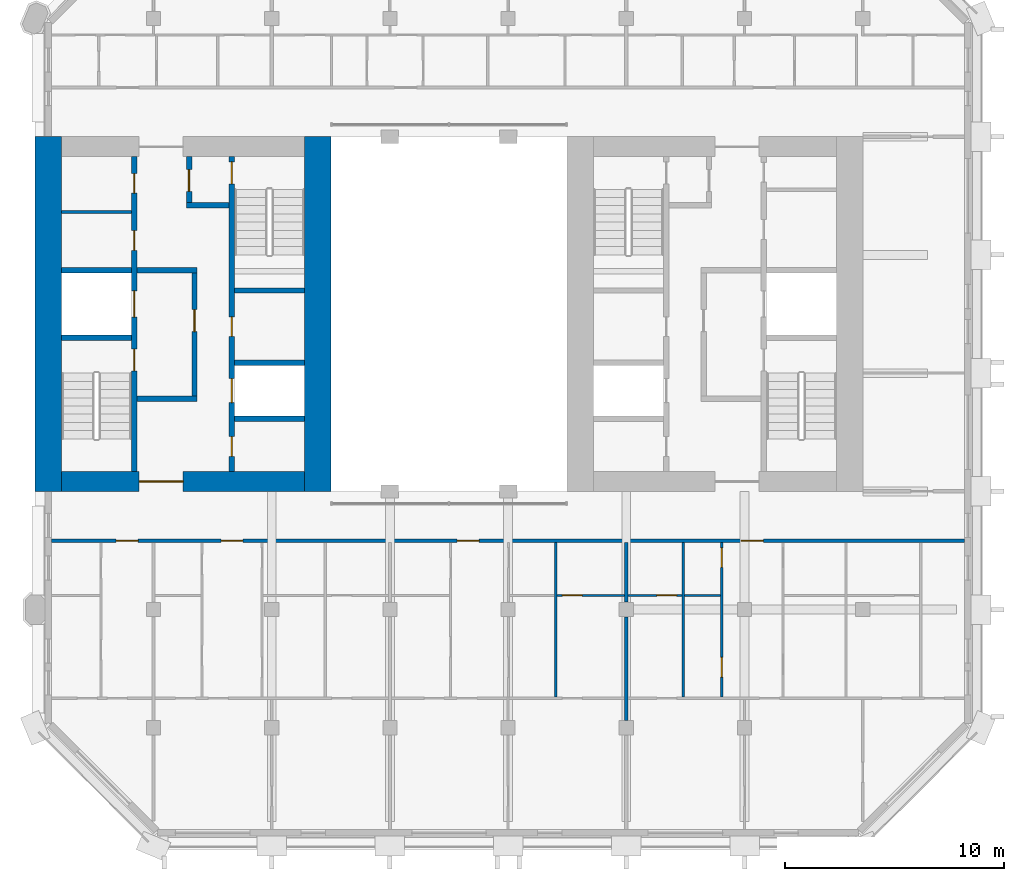
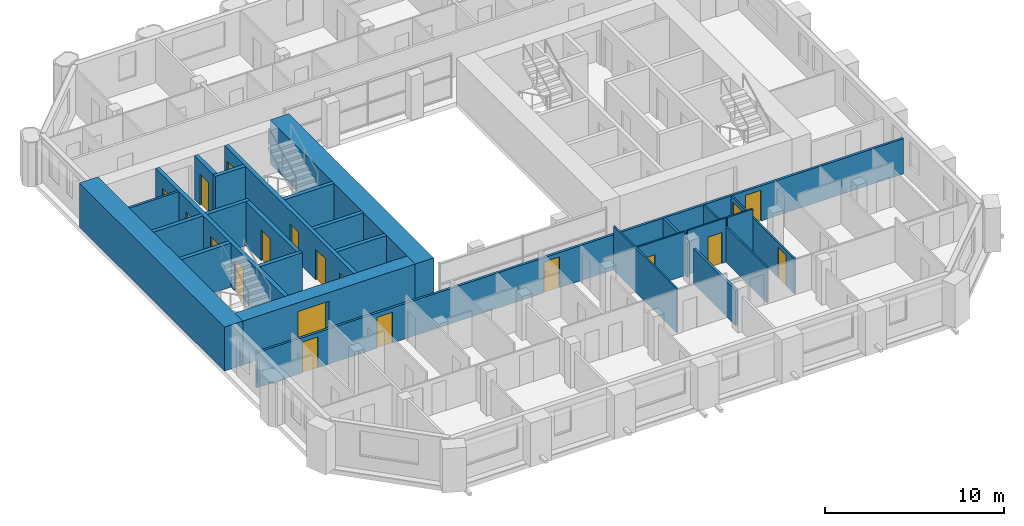
# One storey, part 7 of 13: 25 walls, 19 doors, 19 openings.
"""IFC4 building model written with IfcOpenShell, lengths in metres."""

from ifc_helpers import new_model, si_unit, direction, frame, frame_2d, origin, place, context, subcontext, project, spatial, rectangle, extrude, material, layer, layer_set, type_object, element, fill, save


model = new_model("IFC4")

# Units and contexts
model_context = context("Model", 3, precision=1e-05, world=origin(), true_north=direction((0.0, 1.0)))
body_context = subcontext(model_context, "Body", "Model", "MODEL_VIEW")
ifc_project = project(units=[si_unit("LENGTHUNIT", "METRE"), si_unit("AREAUNIT", "SQUARE_METRE"), si_unit("VOLUMEUNIT", "CUBIC_METRE"), si_unit("PLANEANGLEUNIT", "RADIAN"), si_unit("MASSUNIT", "GRAM", prefix="KILO")], contexts=[model_context])

# Site, building, storey
site_placement = place(None, origin())
site = spatial("IfcSite", under=ifc_project, at=site_placement, CompositionType="ELEMENT")
building_placement = place(site_placement, origin())
building = spatial("IfcBuilding", under=site, at=building_placement, Name="Tabaq Tower and Sports Hall", CompositionType="ELEMENT")
storey_placement = place(building_placement, frame((0.0, 0.0, 271.89990234375)))
storey = spatial("IfcBuildingStorey", under=building, at=storey_placement, Name="L66", CompositionType="ELEMENT", Elevation=271.89990234375)

# Walls
ifc_material_1 = material(Name="Blockwork", Category="masonry")
ifc_layer_1 = layer(ifc_material_1, 0.14990234375)
ifc_layer_set_1 = layer_set([ifc_layer_1], Name="Core room partition 150 Blockwork")
wall_type_1 = type_object("IfcWallType", Name="Core room partition 150 Blockwork", PredefinedType="PARTITIONING", material=ifc_layer_set_1)
wall_1_placement = place(storey_placement, frame((6.60009765625, 28.962890625, 0.0), z_axis=(0.0, 0.0, 1.0), x_axis=(1.0, 0.0, 0.0)))
element("IfcWall", 1, at=wall_1_placement, inside=storey, type_object=wall_type_1, Name="Core room partition W L66", PredefinedType="PARTITIONING", context=body_context, shape_type="SweptSolid", body=[
    extrude(rectangle(XDim=3.199951171875, YDim=0.14990234375, at=frame_2d((1.60009765625, 0.0))), origin(), (0.0, 0.0, 1.0), 3.0),
])
ifc_material_2 = material(Name="Concrete C40/50", Category="concrete")
ifc_layer_2 = layer(ifc_material_2, 1.199951171875)
ifc_layer_set_2 = layer_set([ifc_layer_2], Name="Core wall 1200 Concrete C40/50")
wall_type_2 = type_object("IfcWallType", Name="Core wall 1200 Concrete C40/50", PredefinedType="SOLIDWALL", material=ifc_layer_set_2)
for number, where, z_axis, x_axis, name in (
    (2, (6.0, 16.199951171875, 0.0), (0.0, 0.0, 1.0), (0.0, 1.0, 0.0), "Core wall W L66"),
    (3, (18.300048828125, 32.39990234375, 0.0), (0.0, 0.0, 1.0), (0.0, -1.0, 0.0), "Core wall W L66"),
):
    element("IfcWall", number, at=place(storey_placement, frame(where, z_axis=z_axis, x_axis=x_axis)), inside=storey, type_object=wall_type_2, Name=name, PredefinedType="SOLIDWALL", context=body_context, shape_type="SweptSolid", body=[
        extrude(rectangle(XDim=16.199951171875, YDim=1.199951171875, at=frame_2d((8.10009765625, 0.0))), origin(), (0.0, 0.0, 1.0), 3.0),
    ])

# Wall, opening, door
ifc_material_3 = material(Name="Concrete C40/50", Category="concrete")
ifc_layer_3 = layer(ifc_material_3, 0.89990234375)
ifc_layer_set_3 = layer_set([ifc_layer_3], Name="Core wall 900 Concrete C40/50")
wall_type_3 = type_object("IfcWallType", Name="Core wall 900 Concrete C40/50", PredefinedType="SOLIDWALL", material=ifc_layer_set_3)
wall_2_placement = place(storey_placement, frame((17.699951171875, 16.64990234375, 0.0), z_axis=(0.0, 0.0, 1.0), x_axis=(-1.0, 0.0, 0.0)))
wall_2 = element("IfcWall", 4, at=wall_2_placement, inside=storey, type_object=wall_type_3, Name="Core wall W L66", PredefinedType="SOLIDWALL", context=body_context, shape_type="SweptSolid", body=[
    extrude(rectangle(XDim=11.099853515625, YDim=0.89990234375, at=frame_2d((5.5498046875, 0.0))), origin(), (0.0, 0.0, 1.0), 3.0),
])
opening_1_placement = place(wall_2_placement, frame((5.550048828125, 0.0, 0.0)))
opening_1 = element("IfcOpeningElement", 5, at=opening_1_placement, cuts=wall_2, Name="Opening PD-WL66-01", PredefinedType="OPENING", context=body_context, shape_type="SweptSolid", body=[
    extrude(rectangle(XDim=2.0, YDim=2.39990234375, at=frame_2d((1.0, 1.199951171875))), frame((0.0, 0.449951171875, 0.0), z_axis=(0.0, -1.0, 0.0), x_axis=(1.0, 0.0, 0.0)), (0.0, 0.0, 1.0), 0.89990234375),
])
ifc_material_4 = material(Name="Steel fire door", Category="steel")
door_type_1 = type_object("IfcDoorType", Name="Core entrance door 2000", OperationType="DOUBLE_DOOR_SINGLE_SWING", PredefinedType="DOOR", material=ifc_material_4)
door_1_placement = place(opening_1_placement, origin())
door_1 = element("IfcDoor", 6, at=door_1_placement, inside=storey, type_object=door_type_1, Name="Core entrance south W L66", OperationType="DOUBLE_DOOR_SINGLE_SWING", OverallHeight=2.39990234375, OverallWidth=2.0, PredefinedType="DOOR", context=body_context, shape_type="SweptSolid", body=[
    extrude(rectangle(XDim=2.0, YDim=2.39990234375, at=frame_2d((1.0, 1.199951171875))), frame((0.0, 0.02490234375, 0.0), z_axis=(0.0, -1.0, 0.0), x_axis=(1.0, 0.0, 0.0)), (0.0, 0.0, 1.0), 0.050048828125),
])
fill(opening_1, door_1)

# Wall
ifc_material_5 = material(Name="Gypsum board on steel studs", Category="steel")
ifc_layer_4 = layer(ifc_material_5, 0.10009765625)
ifc_layer_set_4 = layer_set([ifc_layer_4], Name="Partition 100 Gypsum board")
wall_type_4 = type_object("IfcWallType", Name="Partition 100 Gypsum board", PredefinedType="PARTITIONING", material=ifc_layer_set_4)
wall_3_placement = place(storey_placement, frame((29.176025390625, 6.800048828125, 0.0), z_axis=(0.0, 0.0, 1.0), x_axis=(0.0, 1.0, 0.0)))
element("IfcWall", 7, at=wall_3_placement, inside=storey, type_object=wall_type_4, Name="Partition wall L66", PredefinedType="PARTITIONING", context=body_context, shape_type="SweptSolid", body=[
    extrude(rectangle(XDim=7.074951171875, YDim=0.10009765625, at=frame_2d((3.53759765625, 0.0))), origin(), (0.0, 0.0, 1.0), 3.0),
])

# Wall, opening, door
wall_4_placement = place(storey_placement, frame((32.324951171875, 11.449951171875, 0.0), z_axis=(0.0, 0.0, 1.0), x_axis=(-1.0, 0.0, 0.0)))
wall_4 = element("IfcWall", 8, at=wall_4_placement, inside=storey, type_object=wall_type_4, Name="Partition wall L66", PredefinedType="PARTITIONING", context=body_context, shape_type="SweptSolid", body=[
    extrude(rectangle(XDim=3.098876953125, YDim=0.10009765625, at=frame_2d((1.54931640625, 0.0))), origin(), (0.0, 0.0, 1.0), 3.0),
])
opening_2_placement = place(wall_4_placement, frame((1.948974609375, 0.0, 0.0)))
opening_2 = element("IfcOpeningElement", 9, at=opening_2_placement, cuts=wall_4, Name="Opening L66-022", PredefinedType="OPENING", context=body_context, shape_type="SweptSolid", body=[
    extrude(rectangle(XDim=0.89990234375, YDim=2.10009765625, at=frame_2d((0.449951171875, 1.050048828125))), frame((0.0, 0.050048828125, 0.0), z_axis=(0.0, -1.0, 0.0), x_axis=(1.0, 0.0, 0.0)), (0.0, 0.0, 1.0), 0.10009765625),
])
ifc_material_6 = material(Name="Timber leaf in steel frame", Category="steel")
door_type_2 = type_object("IfcDoorType", Name="Internal door 900 left hand", OperationType="SINGLE_SWING_LEFT", PredefinedType="DOOR", material=ifc_material_6)
door_2_placement = place(opening_2_placement, origin())
door_2 = element("IfcDoor", 10, at=door_2_placement, inside=storey, type_object=door_type_2, Name="Internal door L66-022", OperationType="SINGLE_SWING_LEFT", OverallHeight=2.10009765625, OverallWidth=0.89990234375, PredefinedType="DOOR", context=body_context, shape_type="SweptSolid", body=[
    extrude(rectangle(XDim=0.89990234375, YDim=2.10009765625, at=frame_2d((0.449951171875, 1.050048828125))), frame((0.0, 0.02490234375, 0.0), z_axis=(0.0, -1.0, 0.0), x_axis=(1.0, 0.0, 0.0)), (0.0, 0.0, 1.0), 0.050048828125),
])
fill(opening_2, door_2)

wall_5_placement = place(storey_placement, frame((34.949951171875, 11.449951171875, 0.0), z_axis=(0.0, 0.0, 1.0), x_axis=(-1.0, 0.0, 0.0)))
wall_5 = element("IfcWall", 11, at=wall_5_placement, inside=storey, type_object=wall_type_4, Name="Partition wall L66", PredefinedType="PARTITIONING", context=body_context, shape_type="SweptSolid", body=[
    extrude(rectangle(XDim=2.474853515625, YDim=0.10009765625, at=frame_2d((1.2373046875, 0.0))), origin(), (0.0, 0.0, 1.0), 3.0),
])
opening_3_placement = place(wall_5_placement, frame((0.25, 0.0, 0.0)))
opening_3 = element("IfcOpeningElement", 12, at=opening_3_placement, cuts=wall_5, Name="Opening L66-024", PredefinedType="OPENING", context=body_context, shape_type="SweptSolid", body=[
    extrude(rectangle(XDim=0.89990234375, YDim=2.10009765625, at=frame_2d((0.449951171875, 1.050048828125))), frame((0.0, 0.050048828125, 0.0), z_axis=(0.0, -1.0, 0.0), x_axis=(1.0, 0.0, 0.0)), (0.0, 0.0, 1.0), 0.10009765625),
])
door_3_placement = place(opening_3_placement, origin())
door_3 = element("IfcDoor", 13, at=door_3_placement, inside=storey, type_object=door_type_2, Name="Internal door L66-024", OperationType="SINGLE_SWING_LEFT", OverallHeight=2.10009765625, OverallWidth=0.89990234375, PredefinedType="DOOR", context=body_context, shape_type="SweptSolid", body=[
    extrude(rectangle(XDim=0.89990234375, YDim=2.10009765625, at=frame_2d((0.449951171875, 1.050048828125))), frame((0.0, 0.02490234375, 0.0), z_axis=(0.0, -1.0, 0.0), x_axis=(1.0, 0.0, 0.0)), (0.0, 0.0, 1.0), 0.050048828125),
])
fill(opening_3, door_3)

# Walls
wall_6_placement = place(storey_placement, frame((35.0, 6.800048828125, 0.0), z_axis=(0.0, 0.0, 1.0), x_axis=(0.0, 1.0, 0.0)))
element("IfcWall", 14, at=wall_6_placement, inside=storey, type_object=wall_type_4, Name="Partition wall L66", PredefinedType="PARTITIONING", context=body_context, shape_type="SweptSolid", body=[
    extrude(rectangle(XDim=7.074951171875, YDim=0.10009765625, at=frame_2d((3.53759765625, 0.0))), origin(), (0.0, 0.0, 1.0), 2.400146484375),
])
wall_7_placement = place(storey_placement, frame((36.7060546875, 11.449951171875, 0.0), z_axis=(0.0, 0.0, 1.0), x_axis=(-1.0, 0.0, 0.0)))
element("IfcWall", 15, at=wall_7_placement, inside=storey, type_object=wall_type_4, Name="Partition wall L66", PredefinedType="PARTITIONING", context=body_context, shape_type="SweptSolid", body=[
    extrude(rectangle(XDim=1.656005859375, YDim=0.10009765625, at=frame_2d((0.828125, 0.0))), origin(), (0.0, 0.0, 1.0), 3.0),
])

# Wall, openings, doors
wall_8_placement = place(storey_placement, frame((36.756103515625, 6.800048828125, 0.0), z_axis=(0.0, 0.0, 1.0), x_axis=(0.0, 1.0, 0.0)))
wall_8 = element("IfcWall", 16, at=wall_8_placement, inside=storey, type_object=wall_type_4, Name="Partition wall L66", PredefinedType="PARTITIONING", context=body_context, shape_type="SweptSolid", body=[
    extrude(rectangle(XDim=7.074951171875, YDim=0.10009765625, at=frame_2d((3.53759765625, 0.0))), origin(), (0.0, 0.0, 1.0), 2.400146484375),
])
opening_4_placement = place(wall_8_placement, frame((0.9169921875, 0.0, 0.0)))
opening_4 = element("IfcOpeningElement", 17, at=opening_4_placement, cuts=wall_8, Name="Opening L66-025", PredefinedType="OPENING", context=body_context, shape_type="SweptSolid", body=[
    extrude(rectangle(XDim=0.89990234375, YDim=2.10009765625, at=frame_2d((0.449951171875, 1.050048828125))), frame((0.0, 0.050048828125, 0.0), z_axis=(0.0, -1.0, 0.0), x_axis=(1.0, 0.0, 0.0)), (0.0, 0.0, 1.0), 0.10009765625),
])
opening_5_placement = place(wall_8_placement, frame((5.925048828125, 0.0, 0.0)))
opening_5 = element("IfcOpeningElement", 18, at=opening_5_placement, cuts=wall_8, Name="Opening L66-026", PredefinedType="OPENING", context=body_context, shape_type="SweptSolid", body=[
    extrude(rectangle(XDim=0.89990234375, YDim=2.10009765625, at=frame_2d((0.449951171875, 1.050048828125))), frame((0.0, 0.050048828125, 0.0), z_axis=(0.0, -1.0, 0.0), x_axis=(1.0, 0.0, 0.0)), (0.0, 0.0, 1.0), 0.10009765625),
])
door_4_placement = place(opening_5_placement, origin())
door_4 = element("IfcDoor", 19, at=door_4_placement, inside=storey, type_object=door_type_2, Name="Internal door L66-026", OperationType="SINGLE_SWING_LEFT", OverallHeight=2.10009765625, OverallWidth=0.89990234375, PredefinedType="DOOR", context=body_context, shape_type="SweptSolid", body=[
    extrude(rectangle(XDim=0.89990234375, YDim=2.10009765625, at=frame_2d((0.449951171875, 1.050048828125))), frame((0.0, 0.02490234375, 0.0), z_axis=(0.0, -1.0, 0.0), x_axis=(1.0, 0.0, 0.0)), (0.0, 0.0, 1.0), 0.050048828125),
])
fill(opening_5, door_4)
ifc_material_7 = material(Name="Timber leaf in steel frame", Category="steel")
door_type_3 = type_object("IfcDoorType", Name="Internal door 900 right hand", OperationType="SINGLE_SWING_RIGHT", PredefinedType="DOOR", material=ifc_material_7)
door_5_placement = place(opening_4_placement, origin())
door_5 = element("IfcDoor", 20, at=door_5_placement, inside=storey, type_object=door_type_3, Name="Internal door L66-025", OperationType="SINGLE_SWING_RIGHT", OverallHeight=2.10009765625, OverallWidth=0.89990234375, PredefinedType="DOOR", context=body_context, shape_type="SweptSolid", body=[
    extrude(rectangle(XDim=0.89990234375, YDim=2.10009765625, at=frame_2d((0.449951171875, 1.050048828125))), frame((0.0, 0.02490234375, 0.0), z_axis=(0.0, -1.0, 0.0), x_axis=(1.0, 0.0, 0.0)), (0.0, 0.0, 1.0), 0.050048828125),
])
fill(opening_4, door_5)

# Walls
ifc_material_8 = material(Name="Blockwork", Category="masonry")
ifc_layer_5 = layer(ifc_material_8, 0.14990234375)
ifc_layer_set_5 = layer_set([ifc_layer_5], Name="Separating wall 150 Blockwork")
wall_type_5 = type_object("IfcWallType", Name="Separating wall 150 Blockwork", PredefinedType="PARTITIONING", material=ifc_layer_set_5)
wall_9_placement = place(storey_placement, frame((32.39990234375, 5.7451171875, 0.0), z_axis=(0.0, 0.0, 1.0), x_axis=(0.0, 1.0, 0.0)))
element("IfcWall", 21, at=wall_9_placement, inside=storey, type_object=wall_type_5, Name="Separating wall L66", PredefinedType="PARTITIONING", context=body_context, shape_type="SweptSolid", body=[
    extrude(rectangle(XDim=4.7099609375, YDim=0.14990234375, at=frame_2d((2.35498046875, 0.0))), origin(), (0.0, 0.0, 1.0), 2.400146484375),
])
wall_10_placement = place(storey_placement, frame((32.39990234375, 11.14501953125, 0.0), z_axis=(0.0, 0.0, 1.0), x_axis=(0.0, 1.0, 0.0)))
element("IfcWall", 22, at=wall_10_placement, inside=storey, type_object=wall_type_5, Name="Separating wall L66", PredefinedType="PARTITIONING", context=body_context, shape_type="SweptSolid", body=[
    extrude(rectangle(XDim=2.72998046875, YDim=0.14990234375, at=frame_2d((1.364990234375, 0.0))), origin(), (0.0, 0.0, 1.0), 2.400146484375),
])

# Wall, openings, doors
wall_11_placement = place(storey_placement, frame((47.84912109375, 13.949951171875, 0.0), z_axis=(0.0, 0.0, 1.0), x_axis=(-1.0, 0.0, 0.0)))
wall_11 = element("IfcWall", 23, at=wall_11_placement, inside=storey, type_object=wall_type_5, Name="Separating wall L66", PredefinedType="PARTITIONING", context=body_context, shape_type="SweptSolid", body=[
    extrude(rectangle(XDim=41.6982421875, YDim=0.14990234375, at=frame_2d((20.84912109375, 0.0))), origin(), (0.0, 0.0, 1.0), 2.400146484375),
])
opening_6_placement = place(wall_11_placement, frame((37.7490234375, 0.0, 0.0)))
opening_6 = element("IfcOpeningElement", 24, at=opening_6_placement, cuts=wall_11, Name="Opening L66-062", PredefinedType="OPENING", context=body_context, shape_type="SweptSolid", body=[
    extrude(rectangle(XDim=1.0, YDim=2.10009765625, at=frame_2d((0.5, 1.050048828125))), frame((0.0, 0.074951171875, 0.0), z_axis=(0.0, -1.0, 0.0), x_axis=(1.0, 0.0, 0.0)), (0.0, 0.0, 1.0), 0.14990234375),
])
opening_7_placement = place(wall_11_placement, frame((32.9619140625, 0.0, 0.0)))
opening_7 = element("IfcOpeningElement", 25, at=opening_7_placement, cuts=wall_11, Name="Opening L66-063", PredefinedType="OPENING", context=body_context, shape_type="SweptSolid", body=[
    extrude(rectangle(XDim=1.0, YDim=2.10009765625, at=frame_2d((0.5, 1.050048828125))), frame((0.0, 0.074951171875, 0.0), z_axis=(0.0, -1.0, 0.0), x_axis=(1.0, 0.0, 0.0)), (0.0, 0.0, 1.0), 0.14990234375),
])
opening_8_placement = place(wall_11_placement, frame((22.178955078125, 0.0, 0.0)))
opening_8 = element("IfcOpeningElement", 26, at=opening_8_placement, cuts=wall_11, Name="Opening L66-064", PredefinedType="OPENING", context=body_context, shape_type="SweptSolid", body=[
    extrude(rectangle(XDim=1.0, YDim=2.10009765625, at=frame_2d((0.5, 1.050048828125))), frame((0.0, 0.074951171875, 0.0), z_axis=(0.0, -1.0, 0.0), x_axis=(1.0, 0.0, 0.0)), (0.0, 0.0, 1.0), 0.14990234375),
])
opening_9_placement = place(wall_11_placement, frame((9.193115234375, 0.0, 0.0)))
opening_9 = element("IfcOpeningElement", 27, at=opening_9_placement, cuts=wall_11, Name="Opening L66-065", PredefinedType="OPENING", context=body_context, shape_type="SweptSolid", body=[
    extrude(rectangle(XDim=1.0, YDim=2.10009765625, at=frame_2d((0.5, 1.050048828125))), frame((0.0, 0.074951171875, 0.0), z_axis=(0.0, -1.0, 0.0), x_axis=(1.0, 0.0, 0.0)), (0.0, 0.0, 1.0), 0.14990234375),
])
ifc_material_9 = material(Name="Steel fire door", Category="steel")
door_type_4 = type_object("IfcDoorType", Name="Entrance door 1000 left hand", OperationType="SINGLE_SWING_LEFT", PredefinedType="DOOR", material=ifc_material_9)
door_6_placement = place(opening_6_placement, origin())
door_6 = element("IfcDoor", 28, at=door_6_placement, inside=storey, type_object=door_type_4, Name="Entrance door L66-062", OperationType="SINGLE_SWING_LEFT", OverallHeight=2.10009765625, OverallWidth=1.0, PredefinedType="DOOR", context=body_context, shape_type="SweptSolid", body=[
    extrude(rectangle(XDim=1.0, YDim=2.10009765625, at=frame_2d((0.5, 1.050048828125))), frame((0.0, 0.02490234375, 0.0), z_axis=(0.0, -1.0, 0.0), x_axis=(1.0, 0.0, 0.0)), (0.0, 0.0, 1.0), 0.050048828125),
])
fill(opening_6, door_6)
door_7_placement = place(opening_7_placement, origin())
door_7 = element("IfcDoor", 29, at=door_7_placement, inside=storey, type_object=door_type_4, Name="Entrance door L66-063", OperationType="SINGLE_SWING_LEFT", OverallHeight=2.10009765625, OverallWidth=1.0, PredefinedType="DOOR", context=body_context, shape_type="SweptSolid", body=[
    extrude(rectangle(XDim=1.0, YDim=2.10009765625, at=frame_2d((0.5, 1.050048828125))), frame((0.0, 0.02490234375, 0.0), z_axis=(0.0, -1.0, 0.0), x_axis=(1.0, 0.0, 0.0)), (0.0, 0.0, 1.0), 0.050048828125),
])
fill(opening_7, door_7)
door_8_placement = place(opening_9_placement, origin())
door_8 = element("IfcDoor", 30, at=door_8_placement, inside=storey, type_object=door_type_4, Name="Entrance door L66-065", OperationType="SINGLE_SWING_LEFT", OverallHeight=2.10009765625, OverallWidth=1.0, PredefinedType="DOOR", context=body_context, shape_type="SweptSolid", body=[
    extrude(rectangle(XDim=1.0, YDim=2.10009765625, at=frame_2d((0.5, 1.050048828125))), frame((0.0, 0.02490234375, 0.0), z_axis=(0.0, -1.0, 0.0), x_axis=(1.0, 0.0, 0.0)), (0.0, 0.0, 1.0), 0.050048828125),
])
fill(opening_9, door_8)
ifc_material_10 = material(Name="Steel fire door", Category="steel")
door_type_5 = type_object("IfcDoorType", Name="Entrance door 1000 right hand", OperationType="SINGLE_SWING_RIGHT", PredefinedType="DOOR", material=ifc_material_10)
door_9_placement = place(opening_8_placement, origin())
door_9 = element("IfcDoor", 31, at=door_9_placement, inside=storey, type_object=door_type_5, Name="Entrance door L66-064", OperationType="SINGLE_SWING_RIGHT", OverallHeight=2.10009765625, OverallWidth=1.0, PredefinedType="DOOR", context=body_context, shape_type="SweptSolid", body=[
    extrude(rectangle(XDim=1.0, YDim=2.10009765625, at=frame_2d((0.5, 1.050048828125))), frame((0.0, 0.02490234375, 0.0), z_axis=(0.0, -1.0, 0.0), x_axis=(1.0, 0.0, 0.0)), (0.0, 0.0, 1.0), 0.050048828125),
])
fill(opening_8, door_9)

ifc_material_11 = material(Name="Concrete C40/50", Category="concrete")
ifc_layer_6 = layer(ifc_material_11, 0.25)
ifc_layer_set_6 = layer_set([ifc_layer_6], Name="Shaft and stair wall 250 Concrete C40/50")
wall_type_6 = type_object("IfcWallType", Name="Shaft and stair wall 250 Concrete C40/50", PredefinedType="SOLIDWALL", material=ifc_layer_set_6)
wall_12_placement = place(storey_placement, frame((9.925048828125, 17.10009765625, 0.0), z_axis=(0.0, 0.0, 1.0), x_axis=(0.0, 1.0, 0.0)))
wall_12 = element("IfcWall", 32, at=wall_12_placement, inside=storey, type_object=wall_type_6, Name="Shaft wall W L66", PredefinedType="SOLIDWALL", context=body_context, shape_type="SweptSolid", body=[
    extrude(rectangle(XDim=14.39990234375, YDim=0.25, at=frame_2d((7.199951171875, 0.0))), origin(), (0.0, 0.0, 1.0), 3.0),
])
opening_10_placement = place(wall_12_placement, frame((4.60009765625, 0.0, 0.0)))
opening_10 = element("IfcOpeningElement", 33, at=opening_10_placement, cuts=wall_12, Name="Opening SD-WL66-03", PredefinedType="OPENING", context=body_context, shape_type="SweptSolid", body=[
    extrude(rectangle(XDim=1.0, YDim=2.10009765625, at=frame_2d((0.5, 1.050048828125))), frame((0.0, 0.125, 0.0), z_axis=(0.0, -1.0, 0.0), x_axis=(1.0, 0.0, 0.0)), (0.0, 0.0, 1.0), 0.25),
])
opening_11_placement = place(wall_12_placement, frame((7.0625, 0.0, 0.0)))
opening_11 = element("IfcOpeningElement", 34, at=opening_11_placement, cuts=wall_12, Name="Opening LD-FF1-L66", PredefinedType="OPENING", context=body_context, shape_type="SweptSolid", body=[
    extrude(rectangle(XDim=1.199951171875, YDim=2.10009765625, at=frame_2d((0.60009765625, 1.050048828125))), frame((0.0, 0.125, 0.0), z_axis=(0.0, -1.0, 0.0), x_axis=(1.0, 0.0, 0.0)), (0.0, 0.0, 1.0), 0.25),
])
opening_12_placement = place(wall_12_placement, frame((10.1064453125, 0.0, 0.0)))
opening_12 = element("IfcOpeningElement", 35, at=opening_12_placement, cuts=wall_12, Name="Opening RD-WL66-09", PredefinedType="OPENING", context=body_context, shape_type="SweptSolid", body=[
    extrude(rectangle(XDim=0.89990234375, YDim=2.10009765625, at=frame_2d((0.449951171875, 1.050048828125))), frame((0.0, 0.125, 0.0), z_axis=(0.0, -1.0, 0.0), x_axis=(1.0, 0.0, 0.0)), (0.0, 0.0, 1.0), 0.25),
])
opening_13_placement = place(wall_12_placement, frame((12.718994140625, 0.0, 0.0)))
opening_13 = element("IfcOpeningElement", 36, at=opening_13_placement, cuts=wall_12, Name="Opening RD-WL66-10", PredefinedType="OPENING", context=body_context, shape_type="SweptSolid", body=[
    extrude(rectangle(XDim=0.89990234375, YDim=2.10009765625, at=frame_2d((0.449951171875, 1.050048828125))), frame((0.0, 0.125, 0.0), z_axis=(0.0, -1.0, 0.0), x_axis=(1.0, 0.0, 0.0)), (0.0, 0.0, 1.0), 0.25),
])
ifc_material_12 = material(Name="Steel fire door", Category="steel")
door_type_6 = type_object("IfcDoorType", Name="Core room door 900", OperationType="SINGLE_SWING_LEFT", PredefinedType="DOOR", material=ifc_material_12)
door_10_placement = place(opening_12_placement, origin())
door_10 = element("IfcDoor", 37, at=door_10_placement, inside=storey, type_object=door_type_6, Name="Door Electrical Room W L66", OperationType="SINGLE_SWING_LEFT", OverallHeight=2.10009765625, OverallWidth=0.89990234375, PredefinedType="DOOR", context=body_context, shape_type="SweptSolid", body=[
    extrude(rectangle(XDim=0.89990234375, YDim=2.10009765625, at=frame_2d((0.449951171875, 1.050048828125))), frame((0.0, 0.02490234375, 0.0), z_axis=(0.0, -1.0, 0.0), x_axis=(1.0, 0.0, 0.0)), (0.0, 0.0, 1.0), 0.050048828125),
])
fill(opening_12, door_10)
door_11_placement = place(opening_13_placement, origin())
door_11 = element("IfcDoor", 38, at=door_11_placement, inside=storey, type_object=door_type_6, Name="Door Comms Room W L66", OperationType="SINGLE_SWING_LEFT", OverallHeight=2.10009765625, OverallWidth=0.89990234375, PredefinedType="DOOR", context=body_context, shape_type="SweptSolid", body=[
    extrude(rectangle(XDim=0.89990234375, YDim=2.10009765625, at=frame_2d((0.449951171875, 1.050048828125))), frame((0.0, 0.02490234375, 0.0), z_axis=(0.0, -1.0, 0.0), x_axis=(1.0, 0.0, 0.0)), (0.0, 0.0, 1.0), 0.050048828125),
])
fill(opening_13, door_11)
ifc_material_13 = material(Name="Stainless steel", Category="steel")
door_type_7 = type_object("IfcDoorType", Name="Lift landing door 1200", OperationType="DOUBLE_DOOR_SLIDING", PredefinedType="DOOR", material=ifc_material_13)
door_12_placement = place(opening_11_placement, origin())
door_12 = element("IfcDoor", 39, at=door_12_placement, inside=storey, type_object=door_type_7, Name="Lift landing door FF1 W L66", OperationType="DOUBLE_DOOR_SLIDING", OverallHeight=2.10009765625, OverallWidth=1.199951171875, PredefinedType="DOOR", context=body_context, shape_type="SweptSolid", body=[
    extrude(rectangle(XDim=1.199951171875, YDim=2.10009765625, at=frame_2d((0.60009765625, 1.050048828125))), frame((0.0, 0.02490234375, 0.0), z_axis=(0.0, -1.0, 0.0), x_axis=(1.0, 0.0, 0.0)), (0.0, 0.0, 1.0), 0.050048828125),
])
fill(opening_11, door_12)
ifc_material_14 = material(Name="Steel fire door", Category="steel")
door_type_8 = type_object("IfcDoorType", Name="Stair door 1000", OperationType="SINGLE_SWING_LEFT", PredefinedType="DOOR", material=ifc_material_14)
door_13_placement = place(opening_10_placement, origin())
door_13 = element("IfcDoor", 40, at=door_13_placement, inside=storey, type_object=door_type_8, Name="Stair door ST1 W L66", OperationType="SINGLE_SWING_LEFT", OverallHeight=2.10009765625, OverallWidth=1.0, PredefinedType="DOOR", context=body_context, shape_type="SweptSolid", body=[
    extrude(rectangle(XDim=1.0, YDim=2.10009765625, at=frame_2d((0.5, 1.050048828125))), frame((0.0, 0.02490234375, 0.0), z_axis=(0.0, -1.0, 0.0), x_axis=(1.0, 0.0, 0.0)), (0.0, 0.0, 1.0), 0.050048828125),
])
fill(opening_10, door_13)

wall_13_placement = place(storey_placement, frame((14.375, 17.10009765625, 0.0), z_axis=(0.0, 0.0, 1.0), x_axis=(0.0, 1.0, 0.0)))
wall_13 = element("IfcWall", 41, at=wall_13_placement, inside=storey, type_object=wall_type_6, Name="Shaft wall W L66", PredefinedType="SOLIDWALL", context=body_context, shape_type="SweptSolid", body=[
    extrude(rectangle(XDim=14.39990234375, YDim=0.25, at=frame_2d((7.199951171875, 0.0))), origin(), (0.0, 0.0, 1.0), 3.0),
])
opening_14_placement = place(wall_13_placement, frame((13.14990234375, 0.0, 0.0)))
opening_14 = element("IfcOpeningElement", 42, at=opening_14_placement, cuts=wall_13, Name="Opening SD-WL66-05", PredefinedType="OPENING", context=body_context, shape_type="SweptSolid", body=[
    extrude(rectangle(XDim=1.0, YDim=2.10009765625, at=frame_2d((0.5, 1.050048828125))), frame((0.0, 0.125, 0.0), z_axis=(0.0, -1.0, 0.0), x_axis=(1.0, 0.0, 0.0)), (0.0, 0.0, 1.0), 0.25),
])
opening_15_placement = place(wall_13_placement, frame((3.14990234375, 0.0, 0.0)))
opening_15 = element("IfcOpeningElement", 43, at=opening_15_placement, cuts=wall_13, Name="Opening LD-HR1-L66", PredefinedType="OPENING", context=body_context, shape_type="SweptSolid", body=[
    extrude(rectangle(XDim=1.10009765625, YDim=2.10009765625, at=frame_2d((0.550048828125, 1.050048828125))), frame((0.0, 0.125, 0.0), z_axis=(0.0, -1.0, 0.0), x_axis=(1.0, 0.0, 0.0)), (0.0, 0.0, 1.0), 0.25),
])
opening_16_placement = place(wall_13_placement, frame((0.699951171875, 0.0, 0.0)))
opening_16 = element("IfcOpeningElement", 44, at=opening_16_placement, cuts=wall_13, Name="Opening RD-WL66-11", PredefinedType="OPENING", context=body_context, shape_type="SweptSolid", body=[
    extrude(rectangle(XDim=0.89990234375, YDim=2.10009765625, at=frame_2d((0.449951171875, 1.050048828125))), frame((0.0, 0.125, 0.0), z_axis=(0.0, -1.0, 0.0), x_axis=(1.0, 0.0, 0.0)), (0.0, 0.0, 1.0), 0.25),
])
opening_17_placement = place(wall_13_placement, frame((6.175048828125, 0.0, 0.0)))
opening_17 = element("IfcOpeningElement", 45, at=opening_17_placement, cuts=wall_13, Name="Opening RD-WL66-12", PredefinedType="OPENING", context=body_context, shape_type="SweptSolid", body=[
    extrude(rectangle(XDim=0.89990234375, YDim=2.10009765625, at=frame_2d((0.449951171875, 1.050048828125))), frame((0.0, 0.125, 0.0), z_axis=(0.0, -1.0, 0.0), x_axis=(1.0, 0.0, 0.0)), (0.0, 0.0, 1.0), 0.25),
])
door_14_placement = place(opening_16_placement, origin())
door_14 = element("IfcDoor", 46, at=door_14_placement, inside=storey, type_object=door_type_6, Name="Door Electrical Riser Room W L66", OperationType="SINGLE_SWING_LEFT", OverallHeight=2.10009765625, OverallWidth=0.89990234375, PredefinedType="DOOR", context=body_context, shape_type="SweptSolid", body=[
    extrude(rectangle(XDim=0.89990234375, YDim=2.10009765625, at=frame_2d((0.449951171875, 1.050048828125))), frame((0.0, 0.02490234375, 0.0), z_axis=(0.0, -1.0, 0.0), x_axis=(1.0, 0.0, 0.0)), (0.0, 0.0, 1.0), 0.050048828125),
])
fill(opening_16, door_14)
door_15_placement = place(opening_17_placement, origin())
door_15 = element("IfcDoor", 47, at=door_15_placement, inside=storey, type_object=door_type_6, Name="Door Riser Room W L66", OperationType="SINGLE_SWING_LEFT", OverallHeight=2.10009765625, OverallWidth=0.89990234375, PredefinedType="DOOR", context=body_context, shape_type="SweptSolid", body=[
    extrude(rectangle(XDim=0.89990234375, YDim=2.10009765625, at=frame_2d((0.449951171875, 1.050048828125))), frame((0.0, 0.02490234375, 0.0), z_axis=(0.0, -1.0, 0.0), x_axis=(1.0, 0.0, 0.0)), (0.0, 0.0, 1.0), 0.050048828125),
])
fill(opening_17, door_15)
ifc_material_15 = material(Name="Stainless steel", Category="steel")
door_type_9 = type_object("IfcDoorType", Name="Lift landing door 1100", OperationType="DOUBLE_DOOR_SLIDING", PredefinedType="DOOR", material=ifc_material_15)
door_16_placement = place(opening_15_placement, origin())
door_16 = element("IfcDoor", 48, at=door_16_placement, inside=storey, type_object=door_type_9, Name="Lift landing door HR1 W L66", OperationType="DOUBLE_DOOR_SLIDING", OverallHeight=2.10009765625, OverallWidth=1.10009765625, PredefinedType="DOOR", context=body_context, shape_type="SweptSolid", body=[
    extrude(rectangle(XDim=1.10009765625, YDim=2.10009765625, at=frame_2d((0.550048828125, 1.050048828125))), frame((0.0, 0.02490234375, 0.0), z_axis=(0.0, -1.0, 0.0), x_axis=(1.0, 0.0, 0.0)), (0.0, 0.0, 1.0), 0.050048828125),
])
fill(opening_15, door_16)
door_17_placement = place(opening_14_placement, origin())
door_17 = element("IfcDoor", 49, at=door_17_placement, inside=storey, type_object=door_type_8, Name="Stair door ST2 W L66", OperationType="SINGLE_SWING_LEFT", OverallHeight=2.10009765625, OverallWidth=1.0, PredefinedType="DOOR", context=body_context, shape_type="SweptSolid", body=[
    extrude(rectangle(XDim=1.0, YDim=2.10009765625, at=frame_2d((0.5, 1.050048828125))), frame((0.0, 0.02490234375, 0.0), z_axis=(0.0, -1.0, 0.0), x_axis=(1.0, 0.0, 0.0)), (0.0, 0.0, 1.0), 0.050048828125),
])
fill(opening_14, door_17)

# Walls
for number, where, z_axis, x_axis, name in (
    (50, (6.60009765625, 23.22509765625, 0.0), (0.0, 0.0, 1.0), (1.0, 0.0, 0.0), "Stair enclosure wall W L66"),
    (51, (14.5, 25.375, 0.0), (0.0, 0.0, 1.0), (1.0, 0.0, 0.0), "Stair enclosure wall W L66"),
    (52, (14.5, 22.074951171875, 0.0), (0.0, 0.0, 1.0), (1.0, 0.0, 0.0), "Shaft wall W L66"),
    (53, (6.60009765625, 26.300048828125, 0.0), (0.0, 0.0, 1.0), (1.0, 0.0, 0.0), "Shaft wall W L66"),
):
    element("IfcWall", number, at=place(storey_placement, frame(where, z_axis=z_axis, x_axis=x_axis)), inside=storey, type_object=wall_type_6, Name=name, PredefinedType="SOLIDWALL", context=body_context, shape_type="SweptSolid", body=[
        extrude(rectangle(XDim=3.199951171875, YDim=0.25, at=frame_2d((1.60009765625, 0.0))), origin(), (0.0, 0.0, 1.0), 3.0),
    ])
for number, where, z_axis, x_axis, name in (
    (54, (10.050048828125, 26.300048828125, 0.0), (0.0, 0.0, 1.0), (1.0, 0.0, 0.0), "Fire-fighting lobby wall W L66"),
    (55, (10.050048828125, 20.425048828125, 0.0), (0.0, 0.0, 1.0), (1.0, 0.0, 0.0), "Fire-fighting lobby wall W L66"),
):
    element("IfcWall", number, at=place(storey_placement, frame(where, z_axis=z_axis, x_axis=x_axis)), inside=storey, type_object=wall_type_6, Name=name, PredefinedType="SOLIDWALL", context=body_context, shape_type="SweptSolid", body=[
        extrude(rectangle(XDim=2.75, YDim=0.25, at=frame_2d((1.375, 0.0))), origin(), (0.0, 0.0, 1.0), 3.0),
    ])

# Wall, opening, door
wall_14_placement = place(storey_placement, frame((12.425048828125, 29.39990234375, 0.0), z_axis=(0.0, 0.0, 1.0), x_axis=(0.0, 1.0, 0.0)))
wall_14 = element("IfcWall", 56, at=wall_14_placement, inside=storey, type_object=wall_type_6, Name="Fire-fighting lobby wall W L66", PredefinedType="SOLIDWALL", context=body_context, shape_type="SweptSolid", body=[
    extrude(rectangle(XDim=2.10009765625, YDim=0.25, at=frame_2d((1.050048828125, 0.0))), origin(), (0.0, 0.0, 1.0), 3.0),
])
opening_18_placement = place(wall_14_placement, frame((0.5, 0.0, 0.0)))
opening_18 = element("IfcOpeningElement", 57, at=opening_18_placement, cuts=wall_14, Name="Opening FD-WL66-06", PredefinedType="OPENING", context=body_context, shape_type="SweptSolid", body=[
    extrude(rectangle(XDim=1.0, YDim=2.10009765625, at=frame_2d((0.5, 1.050048828125))), frame((0.0, 0.125, 0.0), z_axis=(0.0, -1.0, 0.0), x_axis=(1.0, 0.0, 0.0)), (0.0, 0.0, 1.0), 0.25),
])
ifc_material_16 = material(Name="Steel fire door", Category="steel")
door_type_10 = type_object("IfcDoorType", Name="Fire-fighting lobby door 1000", OperationType="SINGLE_SWING_LEFT", PredefinedType="DOOR", material=ifc_material_16)
door_18_placement = place(opening_18_placement, origin())
door_18 = element("IfcDoor", 58, at=door_18_placement, inside=storey, type_object=door_type_10, Name="Stair lobby door W L66", OperationType="SINGLE_SWING_LEFT", OverallHeight=2.10009765625, OverallWidth=1.0, PredefinedType="DOOR", context=body_context, shape_type="SweptSolid", body=[
    extrude(rectangle(XDim=1.0, YDim=2.10009765625, at=frame_2d((0.5, 1.050048828125))), frame((0.0, 0.02490234375, 0.0), z_axis=(0.0, -1.0, 0.0), x_axis=(1.0, 0.0, 0.0)), (0.0, 0.0, 1.0), 0.050048828125),
])
fill(opening_18, door_18)

# Wall
wall_15_placement = place(storey_placement, frame((12.300048828125, 29.27490234375, 0.0), z_axis=(0.0, 0.0, 1.0), x_axis=(1.0, 0.0, 0.0)))
element("IfcWall", 59, at=wall_15_placement, inside=storey, type_object=wall_type_6, Name="Fire-fighting lobby wall W L66", PredefinedType="SOLIDWALL", context=body_context, shape_type="SweptSolid", body=[
    extrude(rectangle(XDim=1.949951171875, YDim=0.25, at=frame_2d((0.97509765625, 0.0))), origin(), (0.0, 0.0, 1.0), 3.0),
])

# Wall, opening, door
wall_16_placement = place(storey_placement, frame((12.675048828125, 20.550048828125, 0.0), z_axis=(0.0, 0.0, 1.0), x_axis=(0.0, 1.0, 0.0)))
wall_16 = element("IfcWall", 60, at=wall_16_placement, inside=storey, type_object=wall_type_6, Name="Fire-fighting lobby wall W L66", PredefinedType="SOLIDWALL", context=body_context, shape_type="SweptSolid", body=[
    extrude(rectangle(XDim=5.625, YDim=0.25, at=frame_2d((2.8125, 0.0))), origin(), (0.0, 0.0, 1.0), 3.0),
])
opening_19_placement = place(wall_16_placement, frame((2.949951171875, 0.0, 0.0)))
opening_19 = element("IfcOpeningElement", 61, at=opening_19_placement, cuts=wall_16, Name="Opening FD-WL66-04", PredefinedType="OPENING", context=body_context, shape_type="SweptSolid", body=[
    extrude(rectangle(XDim=1.0, YDim=2.10009765625, at=frame_2d((0.5, 1.050048828125))), frame((0.0, 0.125, 0.0), z_axis=(0.0, -1.0, 0.0), x_axis=(1.0, 0.0, 0.0)), (0.0, 0.0, 1.0), 0.25),
])
door_19_placement = place(opening_19_placement, origin())
door_19 = element("IfcDoor", 62, at=door_19_placement, inside=storey, type_object=door_type_10, Name="Fire-fighting lobby door W L66", OperationType="SINGLE_SWING_LEFT", OverallHeight=2.10009765625, OverallWidth=1.0, PredefinedType="DOOR", context=body_context, shape_type="SweptSolid", body=[
    extrude(rectangle(XDim=1.0, YDim=2.10009765625, at=frame_2d((0.5, 1.050048828125))), frame((0.0, 0.02490234375, 0.0), z_axis=(0.0, -1.0, 0.0), x_axis=(1.0, 0.0, 0.0)), (0.0, 0.0, 1.0), 0.050048828125),
])
fill(opening_19, door_19)

# Wall
wall_17_placement = place(storey_placement, frame((14.5, 19.52490234375, 0.0), z_axis=(0.0, 0.0, 1.0), x_axis=(1.0, 0.0, 0.0)))
element("IfcWall", 63, at=wall_17_placement, inside=storey, type_object=wall_type_6, Name="Shaft wall W L66", PredefinedType="SOLIDWALL", context=body_context, shape_type="SweptSolid", body=[
    extrude(rectangle(XDim=3.199951171875, YDim=0.25, at=frame_2d((1.60009765625, 0.0))), origin(), (0.0, 0.0, 1.0), 3.0),
])

save(model, "model.ifc")
